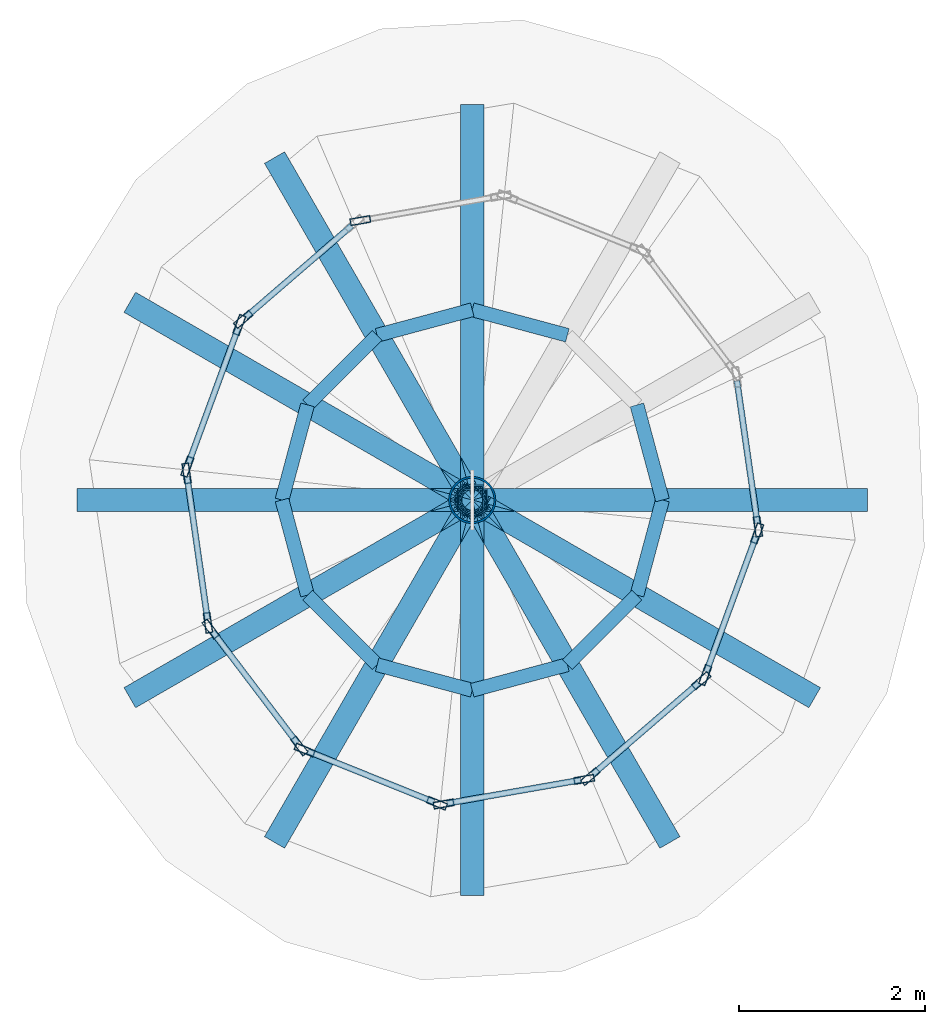
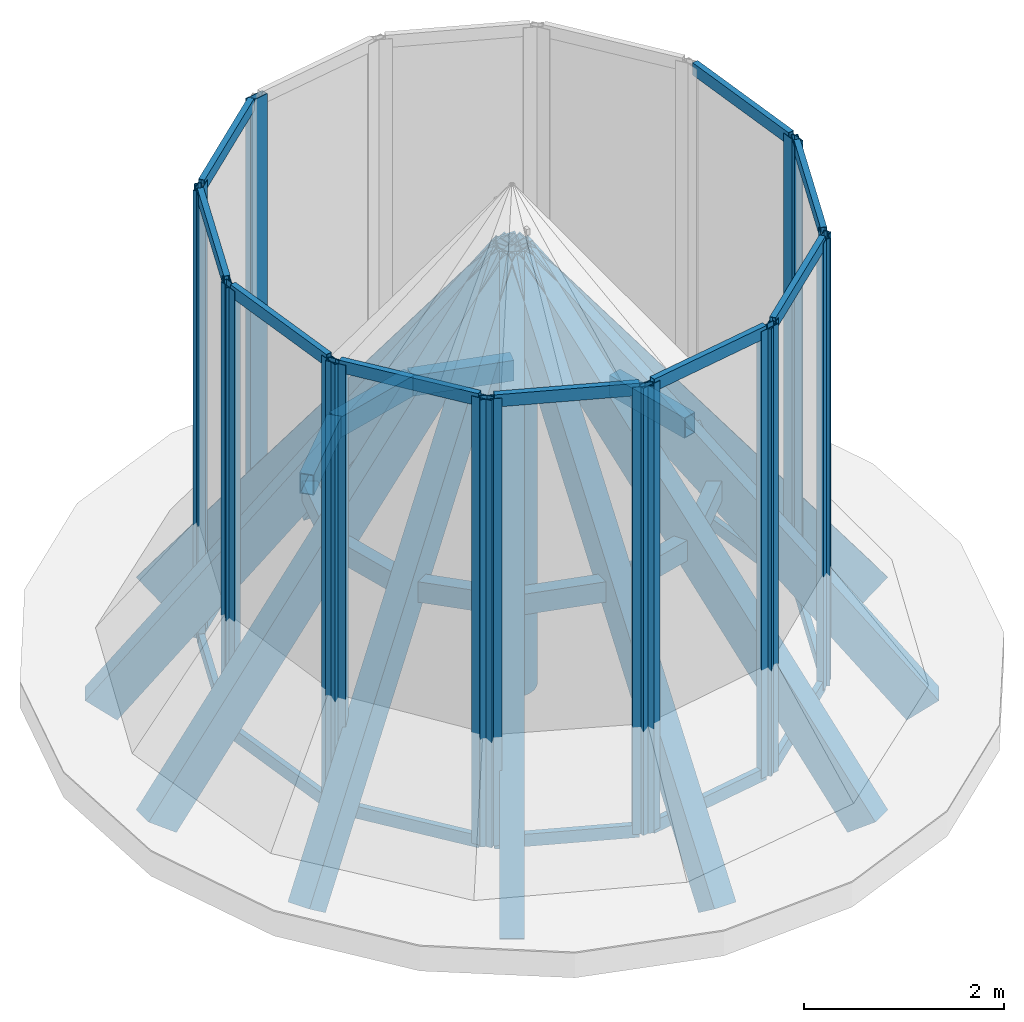
# One storey, part 1 of 3: 56 members, 1 column, 10 elements without a shape of their own.
"""IFC4 building model written with IfcOpenShell, lengths in metres."""

import ifcopenshell
import ifcopenshell.guid

model = None  # the IFC model being written
_history = None  # IfcOwnerHistory: only IFC2X3 demands one
_inside = {}  # id of a spatial element -> (the spatial element, [elements in it])
_under = {}  # id of a project, library or spatial element -> (it, [spatial elements below it])
_declared = {}  # id of a project -> (the project, [libraries it declares])
_typed = {}  # id of a type object -> (the type object, [elements of that type])
_made_of = {}  # id of a material, layer set ... -> (it, [elements and type objects made of it])


def new_model(schema):
    """Start an empty IFC model of exactly this schema.

    Asked for "IFC4X3", IfcOpenShell would pick the latest addendum, in which some entities
    have other attributes; the version numbers below select the first issue.
    IFC2X3 requires an IfcOwnerHistory on every rooted entity: one is made here for all.
    """
    global model, _history
    if schema == "IFC4X3":
        model = ifcopenshell.file(schema_version=(4, 3, 0, 0))
    else:
        model = ifcopenshell.file(schema=schema)
    _inside.clear()
    _under.clear()
    _declared.clear()
    _typed.clear()
    _made_of.clear()
    _history = None
    if model.schema == "IFC2X3":
        org = make("IfcOrganization", Name="unknown")
        user = make(
            "IfcPersonAndOrganization",
            ThePerson=make("IfcPerson", FamilyName="unknown"),
            TheOrganization=org,
        )
        app = make(
            "IfcApplication",
            ApplicationDeveloper=org,
            Version="unknown",
            ApplicationFullName="unknown",
            ApplicationIdentifier="unknown",
        )
        _history = make(
            "IfcOwnerHistory",
            OwningUser=user,
            OwningApplication=app,
            ChangeAction="ADDED",
            CreationDate=0,
        )
    return model


def make(cls, **values):
    """One entity of the class cls with the attributes given. An attribute that is None is left unset."""
    return model.create_entity(
        cls, **{name: value for name, value in values.items() if value is not None}
    )


def rooted(cls, **values):
    """An entity with a GlobalId (a new one), such as an element, a storey or a relation."""
    return make(cls, GlobalId=ifcopenshell.guid.new(), OwnerHistory=_history, **values)


def si_unit(unit_type, name, prefix=None):
    """IfcSIUnit, for example si_unit("LENGTHUNIT", "METRE", prefix="MILLI")."""
    return make("IfcSIUnit", UnitType=unit_type, Prefix=prefix, Name=name)


def assignment(units):
    """IfcUnitAssignment: the units of a project."""
    return None if units is None else make("IfcUnitAssignment", Units=units)


def point(xyz):
    """IfcCartesianPoint."""
    return None if xyz is None else make("IfcCartesianPoint", Coordinates=xyz)


def direction(xyz):
    """IfcDirection."""
    return None if xyz is None else make("IfcDirection", DirectionRatios=xyz)


def frame(location, z_axis=None, x_axis=None):
    """IfcAxis2Placement3D, a coordinate frame: its origin and axes. An axis left out is left unset."""
    return make(
        "IfcAxis2Placement3D",
        Location=point(location),
        Axis=direction(z_axis),
        RefDirection=direction(x_axis),
    )


def frame_2d(location, x_axis=None):
    """IfcAxis2Placement2D, a coordinate frame in the plane: its origin and x axis."""
    return make(
        "IfcAxis2Placement2D", Location=point(location), RefDirection=direction(x_axis)
    )


def origin():
    """The frame at (0, 0, 0) with its axes left unset."""
    return frame((0.0, 0.0, 0.0))


def origin_2d():
    """The frame at (0, 0) in the plane with its x axis left unset."""
    return frame_2d((0.0, 0.0))


def place(relative_to, where):
    """IfcLocalPlacement: puts the frame where relative to a parent placement (None: the world)."""
    return make(
        "IfcLocalPlacement", PlacementRelTo=relative_to, RelativePlacement=where
    )


def context(
    kind, dimensions, precision=None, world=None, true_north=None, identifier=None
):
    """IfcGeometricRepresentationContext, for example the 3D "Model" context."""
    return make(
        "IfcGeometricRepresentationContext",
        ContextIdentifier=identifier,
        ContextType=kind,
        CoordinateSpaceDimension=dimensions,
        Precision=precision,
        WorldCoordinateSystem=world,
        TrueNorth=true_north,
    )


def subcontext(parent, identifier, kind, view, scale=None):
    """IfcGeometricRepresentationSubContext, for example "Body" below "Model"."""
    return make(
        "IfcGeometricRepresentationSubContext",
        ContextIdentifier=identifier,
        ContextType=kind,
        ParentContext=parent,
        TargetScale=scale,
        TargetView=view,
    )


def project(units=None, contexts=None):
    """IfcProject with its units and contexts."""
    return rooted(
        "IfcProject",
        Name="project",
        RepresentationContexts=contexts,
        UnitsInContext=assignment(units),
    )


def spatial(cls, under=None, at=None, **own):
    """A site, building, storey or space (cls), placed at a placement, below another one or the project."""
    s = rooted(cls, ObjectPlacement=at, **own)
    if under is not None:
        _under.setdefault(under.id(), (under, []))[1].append(s)
    return s


def profile(cls, at=None, kind="AREA", **sizes):
    """A parametric profile (cls). Its sizes go by their IFC names, for example OverallWidth=200.0."""
    return make(cls, ProfileType=kind, Position=at, **sizes)


def hollow_rectangle(**sizes):
    """IfcRectangleHollowProfileDef."""
    return profile("IfcRectangleHollowProfileDef", **sizes)


def hollow_circle(**sizes):
    """IfcCircleHollowProfileDef."""
    return profile("IfcCircleHollowProfileDef", **sizes)


def extrude(swept, where, along, depth):
    """IfcExtrudedAreaSolid: the profile swept, set in the frame where, extruded along a direction by depth."""
    return make(
        "IfcExtrudedAreaSolid",
        SweptArea=swept,
        Position=where,
        ExtrudedDirection=direction(along),
        Depth=depth,
    )


def shape(context_of_items, identifier, shape_type, items):
    """IfcShapeRepresentation: the items that make up one representation, for example the "Body"."""
    return make(
        "IfcShapeRepresentation",
        ContextOfItems=context_of_items,
        RepresentationIdentifier=identifier,
        RepresentationType=shape_type,
        Items=items,
    )


def source(mapping_origin, context_of_items, identifier, shape_type, items):
    """IfcRepresentationMap: a shape defined once, which mapped items show again and again."""
    return make(
        "IfcRepresentationMap",
        MappingOrigin=mapping_origin,
        MappedRepresentation=shape(context_of_items, identifier, shape_type, items),
    )


def transform(
    local_origin,
    x_axis=None,
    y_axis=None,
    z_axis=None,
    scale=None,
    scale2=None,
    scale3=None,
    uniform=True,
):
    """IfcCartesianTransformationOperator3D, or its non-uniform kind. x_axis, y_axis, z_axis: its Axis1, 2, 3."""
    if uniform:
        return make(
            "IfcCartesianTransformationOperator3D",
            Axis1=direction(x_axis),
            Axis2=direction(y_axis),
            LocalOrigin=point(local_origin),
            Scale=scale,
            Axis3=direction(z_axis),
        )
    return make(
        "IfcCartesianTransformationOperator3DnonUniform",
        Axis1=direction(x_axis),
        Axis2=direction(y_axis),
        LocalOrigin=point(local_origin),
        Scale=scale,
        Axis3=direction(z_axis),
        Scale2=scale2,
        Scale3=scale3,
    )


def mapped(mapping_source, mapping_target):
    """IfcMappedItem: shows the shape of a source again, moved by a transform."""
    return make(
        "IfcMappedItem", MappingSource=mapping_source, MappingTarget=mapping_target
    )


def material(Name=None, Category=None):
    """IfcMaterial."""
    return make("IfcMaterial", Name=Name, Category=Category)


def layer(
    of_material, thickness, ventilated=None, Name=None, Category=None, Priority=None
):
    """IfcMaterialLayer: one layer of a wall or slab, of a material (None: an air gap)."""
    return make(
        "IfcMaterialLayer",
        Material=of_material,
        LayerThickness=thickness,
        IsVentilated=ventilated,
        Name=Name,
        Category=Category,
        Priority=Priority,
    )


def layer_set(layers, Name=None):
    """IfcMaterialLayerSet."""
    return make("IfcMaterialLayerSet", MaterialLayers=layers, LayerSetName=Name)


def material_profile(
    of_material, cross_section, Name=None, Category=None, Priority=None
):
    """IfcMaterialProfile: a cross section and its material."""
    return make(
        "IfcMaterialProfile",
        Name=Name,
        Material=of_material,
        Profile=cross_section,
        Priority=Priority,
        Category=Category,
    )


def profile_set(profiles, Name=None, composite=None):
    """IfcMaterialProfileSet."""
    return make(
        "IfcMaterialProfileSet",
        Name=Name,
        MaterialProfiles=profiles,
        CompositeProfile=composite,
    )


def made_of(thing, what):
    """Note that an element or type object is made of a material, layer set ...; save() writes the relation."""
    if what is not None:
        _made_of.setdefault(what.id(), (what, []))[1].append(thing)
    return thing


def type_object(cls, material=None, **own):
    """A type object (cls), such as IfcWallType, which elements share."""
    return made_of(rooted(cls, **own), material)


def element(
    cls,
    number,
    at=None,
    inside=None,
    cuts=None,
    type_object=None,
    material=None,
    context=None,
    identifier="Body",
    shape_type=None,
    held_by="IfcProductDefinitionShape",
    body=None,
    shapes=None,
    **own,
):
    """One element of the class cls, such as IfcWall. Its Tag is "e" and its number.

    at: its placement. inside: the storey or other place that contains it. cuts: it is an
    opening in that element (IfcRelVoidsElement). A single representation is given by context,
    identifier, shape_type and body (its items); several are given by shapes. held_by: the class
    of the entity that holds the representations. save() writes the other relations.
    """
    e = rooted(cls, Tag="e%d" % number, ObjectPlacement=at, **own)
    if body is not None:
        shapes = [shape(context, identifier, shape_type, body)]
    if shapes is not None:
        e.Representation = make(held_by, Representations=shapes)
    if inside is not None:
        _inside.setdefault(inside.id(), (inside, []))[1].append(e)
    if cuts is not None:
        rooted(
            "IfcRelVoidsElement", RelatingBuildingElement=cuts, RelatedOpeningElement=e
        )
    if type_object is not None:
        _typed.setdefault(type_object.id(), (type_object, []))[1].append(e)
    return made_of(e, material)


def aggregate(whole, parts):
    """IfcRelAggregates: a whole, such as a stair, and the parts it consists of."""
    return rooted("IfcRelAggregates", RelatingObject=whole, RelatedObjects=parts)


def save(model, path):
    """Write the relations noted so far, then the file.

    IfcRelAggregates (storeys below a building ...), IfcRelContainedInSpatialStructure (elements
    in a storey), IfcRelDefinesByType, IfcRelAssociatesMaterial and IfcRelDeclares: one each for
    every whole, place, type object, material and project.
    """
    for whole, parts in _under.values():
        aggregate(whole, parts)
    for where, things in _inside.values():
        rooted(
            "IfcRelContainedInSpatialStructure",
            RelatedElements=things,
            RelatingStructure=where,
        )
    for kind, things in _typed.values():
        rooted("IfcRelDefinesByType", RelatedObjects=things, RelatingType=kind)
    for what, things in _made_of.values():
        rooted("IfcRelAssociatesMaterial", RelatedObjects=things, RelatingMaterial=what)
    for by, libraries in _declared.values():
        rooted("IfcRelDeclares", RelatingContext=by, RelatedDefinitions=libraries)
    model.write(path)


model = new_model("IFC4")

# Units and contexts
model_context = context("Model", 3, precision=1e-05, world=origin(), true_north=direction((0.0, 1.0)))
body_context = subcontext(model_context, "Body", "Model", "MODEL_VIEW")
ifc_project = project(units=[si_unit("LENGTHUNIT", "METRE"), si_unit("AREAUNIT", "SQUARE_METRE"), si_unit("VOLUMEUNIT", "CUBIC_METRE"), si_unit("PLANEANGLEUNIT", "RADIAN"), si_unit("MASSUNIT", "GRAM", prefix="KILO")], contexts=[model_context])

# Site, building, storey
site_placement = place(None, origin())
site = spatial("IfcSite", under=ifc_project, at=site_placement, CompositionType="ELEMENT")
building_placement = place(site_placement, origin())
building = spatial("IfcBuilding", under=site, at=building_placement, Name="Solvirekh Grand Hotel", CompositionType="ELEMENT")
storey_placement = place(building_placement, frame((0.0, 0.0, 340.199951171875)))
storey = spatial("IfcBuildingStorey", under=building, at=storey_placement, Name="RF", CompositionType="ELEMENT", Elevation=340.199951171875)

# Column
ifc_material_1 = material(Name="Steel S460", Category="steel")
ifc_material_profile_1 = material_profile(ifc_material_1, hollow_circle(Radius=0.25390625, WallThickness=0.02001953125, at=origin_2d()), Name="CHS 508X20")
ifc_profile_set_1 = profile_set([ifc_material_profile_1], Name="Steel S460")
column_type = type_object("IfcColumnType", Name="Col_Crown_CHS508", PredefinedType="COLUMN", material=ifc_profile_set_1)
column_placement = place(storey_placement, frame((0.0, 0.0, -0.300048828125), z_axis=(0.0, 0.0, 1.0), x_axis=(1.0, 0.0, 0.0)))
element("IfcColumn", 1, at=column_placement, inside=storey, type_object=column_type, Name="RF central crown lantern support mast", PredefinedType="COLUMN", context=body_context, shape_type="SweptSolid", body=[
    extrude(hollow_circle(Radius=0.25390625, WallThickness=0.02001953125, at=origin_2d()), origin(), (0.0, 0.0, 1.0), 5.25),
])

# Members
ifc_material_2 = material(Name="Steel S355", Category="steel")
ifc_material_profile_2 = material_profile(ifc_material_2, hollow_rectangle(XDim=0.14990234375, YDim=0.25, WallThickness=0.010009765625, at=origin_2d()), Name="RHS 250X150X10")
ifc_profile_set_2 = profile_set([ifc_material_profile_2], Name="Steel S355")
member_type_1 = type_object("IfcMemberType", Name="Purlin_Crown_RHS250", PredefinedType="PURLIN", material=ifc_profile_set_2)
for number, where, z_axis, x_axis, name in (
    (2, (2.050048828125, 0.0, 2.1201171875), (-0.259280363239, 0.965802098382, 0.0), (-0.965802098382, -0.259280363239, 0.0), "Crown pointed lantern purlin 1"),
    (3, (1.02490234375, 1.77490234375, 2.1201171875), (-0.965802098382, 0.259280363239, 0.0), (-0.259280363239, -0.965802098382, 0.0), "Crown pointed lantern purlin 3"),
    (4, (0.0, 2.050048828125, 2.1201171875), (-0.965802098382, -0.259280363239, 0.0), (0.259280363239, -0.965802098382, 0.0), "Crown pointed lantern purlin 4"),
):
    element("IfcMember", number, at=place(storey_placement, frame(where, z_axis=z_axis, x_axis=x_axis)), inside=storey, type_object=member_type_1, Name=name, PredefinedType="PURLIN", context=body_context, shape_type="SweptSolid", body=[
        extrude(hollow_rectangle(XDim=0.14990234375, YDim=0.25, WallThickness=0.010009765625, at=origin_2d()), origin(), (0.0, 0.0, 1.0), 1.061279296875),
    ])
member_1_placement = place(storey_placement, frame((-1.02490234375, 1.77490234375, 2.1201171875), z_axis=(-0.707106781187, -0.707106781187, 0.0), x_axis=(0.707106781187, -0.707106781187, 0.0)))
element("IfcMember", 5, at=member_1_placement, inside=storey, type_object=member_type_1, Name="Crown pointed lantern purlin 5", PredefinedType="PURLIN", context=body_context, shape_type="SweptSolid", body=[
    extrude(hollow_rectangle(XDim=0.14990234375, YDim=0.25, WallThickness=0.010009765625, at=origin_2d()), origin(), (0.0, 0.0, 1.0), 1.060546875),
])
for number, where, z_axis, x_axis, name in (
    (6, (-1.77490234375, 1.02490234375, 2.1201171875), (-0.259280363239, -0.965802098382, 0.0), (0.965802098382, -0.259280363239, 0.0), "Crown pointed lantern purlin 6"),
    (7, (-2.050048828125, 0.0, 2.1201171875), (0.259280363239, -0.965802098382, 0.0), (0.965802098382, 0.259280363239, 0.0), "Crown pointed lantern purlin 7"),
):
    element("IfcMember", number, at=place(storey_placement, frame(where, z_axis=z_axis, x_axis=x_axis)), inside=storey, type_object=member_type_1, Name=name, PredefinedType="PURLIN", context=body_context, shape_type="SweptSolid", body=[
        extrude(hollow_rectangle(XDim=0.14990234375, YDim=0.25, WallThickness=0.010009765625, at=origin_2d()), origin(), (0.0, 0.0, 1.0), 1.061279296875),
    ])
member_2_placement = place(storey_placement, frame((-1.77490234375, -1.02490234375, 2.1201171875), z_axis=(0.707106781187, -0.707106781187, 0.0), x_axis=(0.707106781187, 0.707106781187, 0.0)))
element("IfcMember", 8, at=member_2_placement, inside=storey, type_object=member_type_1, Name="Crown pointed lantern purlin 8", PredefinedType="PURLIN", context=body_context, shape_type="SweptSolid", body=[
    extrude(hollow_rectangle(XDim=0.14990234375, YDim=0.25, WallThickness=0.010009765625, at=origin_2d()), origin(), (0.0, 0.0, 1.0), 1.060546875),
])
for number, where, z_axis, x_axis, name in (
    (9, (-1.02490234375, -1.77490234375, 2.1201171875), (0.965802098382, -0.259280363239, 0.0), (0.259280363239, 0.965802098382, 0.0), "Crown pointed lantern purlin 9"),
    (10, (0.0, -2.050048828125, 2.1201171875), (0.965802098382, 0.259280363239, 0.0), (-0.259280363239, 0.965802098382, 0.0), "Crown pointed lantern purlin 10"),
):
    element("IfcMember", number, at=place(storey_placement, frame(where, z_axis=z_axis, x_axis=x_axis)), inside=storey, type_object=member_type_1, Name=name, PredefinedType="PURLIN", context=body_context, shape_type="SweptSolid", body=[
        extrude(hollow_rectangle(XDim=0.14990234375, YDim=0.25, WallThickness=0.010009765625, at=origin_2d()), origin(), (0.0, 0.0, 1.0), 1.061279296875),
    ])
member_3_placement = place(storey_placement, frame((1.02490234375, -1.77490234375, 2.1201171875), z_axis=(0.707106781187, 0.707106781187, 0.0), x_axis=(-0.707106781187, 0.707106781187, 0.0)))
element("IfcMember", 11, at=member_3_placement, inside=storey, type_object=member_type_1, Name="Crown pointed lantern purlin 11", PredefinedType="PURLIN", context=body_context, shape_type="SweptSolid", body=[
    extrude(hollow_rectangle(XDim=0.14990234375, YDim=0.25, WallThickness=0.010009765625, at=origin_2d()), origin(), (0.0, 0.0, 1.0), 1.060546875),
])
member_4_placement = place(storey_placement, frame((1.77490234375, -1.02490234375, 2.1201171875), z_axis=(0.259280363239, 0.965802098382, 0.0), x_axis=(-0.965802098382, 0.259280363239, 0.0)))
element("IfcMember", 12, at=member_4_placement, inside=storey, type_object=member_type_1, Name="Crown pointed lantern purlin 12", PredefinedType="PURLIN", context=body_context, shape_type="SweptSolid", body=[
    extrude(hollow_rectangle(XDim=0.14990234375, YDim=0.25, WallThickness=0.010009765625, at=origin_2d()), origin(), (0.0, 0.0, 1.0), 1.061279296875),
])
ifc_material_profile_3 = material_profile(ifc_material_2, hollow_rectangle(XDim=0.25, YDim=0.39990234375, WallThickness=0.01611328125, at=origin_2d()), Name="RHS 400X250X16")
ifc_profile_set_3 = profile_set([ifc_material_profile_3], Name="Steel S355")
member_type_2 = type_object("IfcMemberType", Name="Rafter_Crown_RHS400", PredefinedType="RAFTER", material=ifc_profile_set_3)
for number, where, z_axis, x_axis, name in (
    (13, (4.10009765625, 0.0, -0.550048828125), (-0.597674248895, 0.0, 0.801739042462), (0.0, -1.0, 0.0), "Crown pointed finial rafter 1"),
    (14, (0.0, 4.10009765625, -0.550048828125), (0.0, -0.597674248895, 0.801739042462), (1.0, 0.0, 0.0), "Crown pointed finial rafter 4"),
    (15, (-2.050048828125, 3.551025390625, -0.550048828125), (0.298831788248, -0.517626337987, 0.801724726171), (0.866039832988, 0.499975007054, 0.0), "Crown pointed finial rafter 5"),
    (16, (-3.551025390625, 2.050048828125, -0.550048828125), (0.517626337987, -0.298831788248, 0.801724726171), (0.499975007054, 0.866039832988, 0.0), "Crown pointed finial rafter 6"),
    (17, (-4.10009765625, 0.0, -0.550048828125), (0.597674248895, 0.0, 0.801739042462), (0.0, 1.0, 0.0), "Crown pointed finial rafter 7"),
    (18, (-3.551025390625, -2.050048828125, -0.550048828125), (0.517626337987, 0.298831788248, 0.801724726171), (-0.499975007054, 0.866039832988, 0.0), "Crown pointed finial rafter 8"),
    (19, (-2.050048828125, -3.551025390625, -0.550048828125), (0.298831788248, 0.517626337987, 0.801724726171), (-0.866039832988, 0.499975007054, 0.0), "Crown pointed finial rafter 9"),
    (20, (0.0, -4.10009765625, -0.550048828125), (0.0, 0.597674248895, 0.801739042462), (-1.0, 0.0, 0.0), "Crown pointed finial rafter 10"),
    (21, (2.050048828125, -3.551025390625, -0.550048828125), (-0.298831788248, 0.517626337987, 0.801724726171), (-0.866039832988, -0.499975007054, 0.0), "Crown pointed finial rafter 11"),
    (22, (3.551025390625, -2.050048828125, -0.550048828125), (-0.517626337987, 0.298831788248, 0.801724726171), (-0.499975007054, -0.866039832988, 0.0), "Crown pointed finial rafter 12"),
):
    element("IfcMember", number, at=place(storey_placement, frame(where, z_axis=z_axis, x_axis=x_axis)), inside=storey, type_object=member_type_2, Name=name, PredefinedType="RAFTER", context=body_context, shape_type="SweptSolid", body=[
        extrude(hollow_rectangle(XDim=0.25, YDim=0.39990234375, WallThickness=0.01611328125, at=origin_2d()), origin(), (0.0, 0.0, 1.0), 6.860107421875),
    ])

# Curtain wall, members
ifc_material_3 = material(Name="Anodized Bronze Aluminium 6063-T6", Category="aluminium")
ifc_layer = layer(ifc_material_3, 0.219970703125)
ifc_layer_set = layer_set([ifc_layer], Name="Anodized Bronze Aluminium 6063-T6")
curtain_wall_type = type_object("IfcCurtainWallType", Name="CW_Sys6_CrownFacetedPointCW", PredefinedType="NOTDEFINED", material=ifc_layer_set)
curtain_wall_1_placement = place(storey_placement, origin())
curtain_wall_1 = element("IfcCurtainWall", 23, at=curtain_wall_1_placement, inside=storey, type_object=curtain_wall_type, Name="RF unitised bronze-glass curtain wall CW-RF-CONE-01", PredefinedType="NOTDEFINED")
ifc_material_profile_4 = material_profile(ifc_material_3, hollow_rectangle(XDim=0.074951171875, YDim=0.219970703125, WallThickness=0.006103515625, at=origin_2d()), Name="ALU RHS 220X75X6")
ifc_profile_set_4 = profile_set([ifc_material_profile_4], Name="Anodized Bronze Aluminium 6063-T6")
member_type_3 = type_object("IfcMemberType", Name="CWMullion_Sys6", PredefinedType="MULLION", material=ifc_profile_set_4)
shared_shape_1 = source(origin(), body_context, "Body", "SweptSolid", [
    extrude(hollow_rectangle(XDim=0.074951171875, YDim=0.219970703125, WallThickness=0.006103515625, at=origin_2d()), origin(), (0.0, 0.0, 1.0), 5.449951171875),
])
member_5_placement = place(storey_placement, frame((-0.30810546875, -3.275634765625, 0.0), z_axis=(0.0, 0.0, 1.0), x_axis=(-0.172440517208, 0.985019932806, 0.0)))
member_5 = element("IfcMember", 24, at=member_5_placement, type_object=member_type_3, Name="U06 mullion 1", PredefinedType="MULLION", context=body_context, shape_type="MappedRepresentation", body=[
    mapped(shared_shape_1, transform((0.0, 0.0, 0.0), x_axis=(1.0, 0.0, 0.0), y_axis=(0.0, 1.0, 0.0), z_axis=(0.0, 0.0, 1.0), scale=1.0)),
])
member_6_placement = place(storey_placement, frame((1.2060546875, -3.010498046875, 0.0), z_axis=(0.0, 0.0, 1.0), x_axis=(-0.172440517208, 0.985019932806, 0.0)))
member_6 = element("IfcMember", 25, at=member_6_placement, type_object=member_type_3, Name="U06 mullion 2", PredefinedType="MULLION", context=body_context, shape_type="MappedRepresentation", body=[
    mapped(shared_shape_1, transform((0.0, 0.0, 0.0), x_axis=(1.0, 0.0, 0.0), y_axis=(0.0, 1.0, 0.0), z_axis=(0.0, 0.0, 1.0), scale=1.0)),
])

curtain_wall_2_placement = place(storey_placement, origin())
curtain_wall_2 = element("IfcCurtainWall", 26, at=curtain_wall_2_placement, inside=storey, type_object=curtain_wall_type, Name="RF unitised bronze-glass curtain wall CW-RF-CONE-02", PredefinedType="NOTDEFINED")
member_7_placement = place(storey_placement, frame((1.271484375, -2.9794921875, 0.0), z_axis=(0.0, 0.0, 1.0), x_axis=(-0.653273976822, 0.757121596051, 0.0)))
member_7 = element("IfcMember", 27, at=member_7_placement, type_object=member_type_3, Name="U06 mullion 1", PredefinedType="MULLION", context=body_context, shape_type="MappedRepresentation", body=[
    mapped(shared_shape_1, transform((0.0, 0.0, 0.0), x_axis=(1.0, 0.0, 0.0), y_axis=(0.0, 1.0, 0.0), z_axis=(0.0, 0.0, 1.0), scale=1.0)),
])
member_8_placement = place(storey_placement, frame((2.468505859375, -1.946533203125, 0.0), z_axis=(0.0, 0.0, 1.0), x_axis=(-0.653273976822, 0.757121596051, 0.0)))
member_8 = element("IfcMember", 28, at=member_8_placement, type_object=member_type_3, Name="U06 mullion 2", PredefinedType="MULLION", context=body_context, shape_type="MappedRepresentation", body=[
    mapped(shared_shape_1, transform((0.0, 0.0, 0.0), x_axis=(1.0, 0.0, 0.0), y_axis=(0.0, 1.0, 0.0), z_axis=(0.0, 0.0, 1.0), scale=1.0)),
])

curtain_wall_3_placement = place(storey_placement, origin())
curtain_wall_3 = element("IfcCurtainWall", 29, at=curtain_wall_3_placement, inside=storey, type_object=curtain_wall_type, Name="RF unitised bronze-glass curtain wall CW-RF-CONE-03", PredefinedType="NOTDEFINED")
member_9_placement = place(storey_placement, frame((2.510009765625, -1.88671875, 0.0), z_axis=(0.0, 0.0, 1.0), x_axis=(-0.938863655573, 0.344289175323, 0.0)))
member_9 = element("IfcMember", 30, at=member_9_placement, type_object=member_type_3, Name="U06 mullion 1", PredefinedType="MULLION", context=body_context, shape_type="MappedRepresentation", body=[
    mapped(shared_shape_1, transform((0.0, 0.0, 0.0), x_axis=(1.0, 0.0, 0.0), y_axis=(0.0, 1.0, 0.0), z_axis=(0.0, 0.0, 1.0), scale=1.0)),
])
member_10_placement = place(storey_placement, frame((3.070068359375, -0.359130859375, 0.0), z_axis=(0.0, 0.0, 1.0), x_axis=(-0.938863655573, 0.344289175323, 0.0)))
member_10 = element("IfcMember", 31, at=member_10_placement, type_object=member_type_3, Name="U06 mullion 2", PredefinedType="MULLION", context=body_context, shape_type="MappedRepresentation", body=[
    mapped(shared_shape_1, transform((0.0, 0.0, 0.0), x_axis=(1.0, 0.0, 0.0), y_axis=(0.0, 1.0, 0.0), z_axis=(0.0, 0.0, 1.0), scale=1.0)),
])

# Curtain wall, member
curtain_wall_4_placement = place(storey_placement, origin())
curtain_wall_4 = element("IfcCurtainWall", 32, at=curtain_wall_4_placement, inside=storey, type_object=curtain_wall_type, Name="RF unitised bronze-glass curtain wall CW-RF-CONE-04", PredefinedType="NOTDEFINED")
member_11_placement = place(storey_placement, frame((3.07763671875, -0.286865234375, 0.0), z_axis=(0.0, 0.0, 1.0), x_axis=(-0.989914192772, -0.141668242552, 0.0)))
member_11 = element("IfcMember", 33, at=member_11_placement, type_object=member_type_3, Name="U06 mullion 1", PredefinedType="MULLION", context=body_context, shape_type="MappedRepresentation", body=[
    mapped(shared_shape_1, transform((0.0, 0.0, 0.0), x_axis=(1.0, 0.0, 0.0), y_axis=(0.0, 1.0, 0.0), z_axis=(0.0, 0.0, 1.0), scale=1.0)),
])

curtain_wall_5_placement = place(storey_placement, origin())
curtain_wall_5 = element("IfcCurtainWall", 34, at=curtain_wall_5_placement, inside=storey, type_object=curtain_wall_type, Name="RF unitised bronze-glass curtain wall CW-RF-CONE-07", PredefinedType="NOTDEFINED")
member_12_placement = place(storey_placement, frame((-1.2060546875, 3.010498046875, 0.0), z_axis=(0.0, 0.0, 1.0), x_axis=(0.172440517208, -0.985019932806, 0.0)))
member_12 = element("IfcMember", 35, at=member_12_placement, type_object=member_type_3, Name="U06 mullion 2", PredefinedType="MULLION", context=body_context, shape_type="MappedRepresentation", body=[
    mapped(shared_shape_1, transform((0.0, 0.0, 0.0), x_axis=(1.0, 0.0, 0.0), y_axis=(0.0, 1.0, 0.0), z_axis=(0.0, 0.0, 1.0), scale=1.0)),
])
aggregate(curtain_wall_5, [member_12])

curtain_wall_6_placement = place(storey_placement, origin())
curtain_wall_6 = element("IfcCurtainWall", 36, at=curtain_wall_6_placement, inside=storey, type_object=curtain_wall_type, Name="RF unitised bronze-glass curtain wall CW-RF-CONE-08", PredefinedType="NOTDEFINED")
member_13_placement = place(storey_placement, frame((-2.468505859375, 1.946533203125, 0.0), z_axis=(0.0, 0.0, 1.0), x_axis=(0.653273976822, -0.757121596051, 0.0)))
member_13 = element("IfcMember", 37, at=member_13_placement, type_object=member_type_3, Name="U06 mullion 2", PredefinedType="MULLION", context=body_context, shape_type="MappedRepresentation", body=[
    mapped(shared_shape_1, transform((0.0, 0.0, 0.0), x_axis=(1.0, 0.0, 0.0), y_axis=(0.0, 1.0, 0.0), z_axis=(0.0, 0.0, 1.0), scale=1.0)),
])

# Curtain wall, members
curtain_wall_7_placement = place(storey_placement, origin())
curtain_wall_7 = element("IfcCurtainWall", 38, at=curtain_wall_7_placement, inside=storey, type_object=curtain_wall_type, Name="RF unitised bronze-glass curtain wall CW-RF-CONE-09", PredefinedType="NOTDEFINED")
member_14_placement = place(storey_placement, frame((-2.510009765625, 1.88671875, 0.0), z_axis=(0.0, 0.0, 1.0), x_axis=(0.938863655573, -0.344289175323, 0.0)))
member_14 = element("IfcMember", 39, at=member_14_placement, type_object=member_type_3, Name="U06 mullion 1", PredefinedType="MULLION", context=body_context, shape_type="MappedRepresentation", body=[
    mapped(shared_shape_1, transform((0.0, 0.0, 0.0), x_axis=(1.0, 0.0, 0.0), y_axis=(0.0, 1.0, 0.0), z_axis=(0.0, 0.0, 1.0), scale=1.0)),
])
member_15_placement = place(storey_placement, frame((-3.070068359375, 0.359130859375, 0.0), z_axis=(0.0, 0.0, 1.0), x_axis=(0.938863655573, -0.344289175323, 0.0)))
member_15 = element("IfcMember", 40, at=member_15_placement, type_object=member_type_3, Name="U06 mullion 2", PredefinedType="MULLION", context=body_context, shape_type="MappedRepresentation", body=[
    mapped(shared_shape_1, transform((0.0, 0.0, 0.0), x_axis=(1.0, 0.0, 0.0), y_axis=(0.0, 1.0, 0.0), z_axis=(0.0, 0.0, 1.0), scale=1.0)),
])

curtain_wall_8_placement = place(storey_placement, origin())
curtain_wall_8 = element("IfcCurtainWall", 41, at=curtain_wall_8_placement, inside=storey, type_object=curtain_wall_type, Name="RF unitised bronze-glass curtain wall CW-RF-CONE-10", PredefinedType="NOTDEFINED")
member_16_placement = place(storey_placement, frame((-3.07763671875, 0.286865234375, 0.0), z_axis=(0.0, 0.0, 1.0), x_axis=(0.989914192772, 0.141668242552, 0.0)))
member_16 = element("IfcMember", 42, at=member_16_placement, type_object=member_type_3, Name="U06 mullion 1", PredefinedType="MULLION", context=body_context, shape_type="MappedRepresentation", body=[
    mapped(shared_shape_1, transform((0.0, 0.0, 0.0), x_axis=(1.0, 0.0, 0.0), y_axis=(0.0, 1.0, 0.0), z_axis=(0.0, 0.0, 1.0), scale=1.0)),
])
member_17_placement = place(storey_placement, frame((-2.847412109375, -1.322998046875, 0.0), z_axis=(0.0, 0.0, 1.0), x_axis=(0.989914192772, 0.141668242552, 0.0)))
member_17 = element("IfcMember", 43, at=member_17_placement, type_object=member_type_3, Name="U06 mullion 2", PredefinedType="MULLION", context=body_context, shape_type="MappedRepresentation", body=[
    mapped(shared_shape_1, transform((0.0, 0.0, 0.0), x_axis=(1.0, 0.0, 0.0), y_axis=(0.0, 1.0, 0.0), z_axis=(0.0, 0.0, 1.0), scale=1.0)),
])

curtain_wall_9_placement = place(storey_placement, origin())
curtain_wall_9 = element("IfcCurtainWall", 44, at=curtain_wall_9_placement, inside=storey, type_object=curtain_wall_type, Name="RF unitised bronze-glass curtain wall CW-RF-CONE-11", PredefinedType="NOTDEFINED")
member_18_placement = place(storey_placement, frame((-2.8193359375, -1.389892578125, 0.0), z_axis=(0.0, 0.0, 1.0), x_axis=(0.796510893346, 0.604624178132, 0.0)))
member_18 = element("IfcMember", 45, at=member_18_placement, type_object=member_type_3, Name="U06 mullion 1", PredefinedType="MULLION", context=body_context, shape_type="MappedRepresentation", body=[
    mapped(shared_shape_1, transform((0.0, 0.0, 0.0), x_axis=(1.0, 0.0, 0.0), y_axis=(0.0, 1.0, 0.0), z_axis=(0.0, 0.0, 1.0), scale=1.0)),
])
member_19_placement = place(storey_placement, frame((-1.86279296875, -2.650146484375, 0.0), z_axis=(0.0, 0.0, 1.0), x_axis=(0.796510893346, 0.604624178132, 0.0)))
member_19 = element("IfcMember", 46, at=member_19_placement, type_object=member_type_3, Name="U06 mullion 2", PredefinedType="MULLION", context=body_context, shape_type="MappedRepresentation", body=[
    mapped(shared_shape_1, transform((0.0, 0.0, 0.0), x_axis=(1.0, 0.0, 0.0), y_axis=(0.0, 1.0, 0.0), z_axis=(0.0, 0.0, 1.0), scale=1.0)),
])

curtain_wall_10_placement = place(storey_placement, origin())
curtain_wall_10 = element("IfcCurtainWall", 47, at=curtain_wall_10_placement, inside=storey, type_object=curtain_wall_type, Name="RF unitised bronze-glass curtain wall CW-RF-CONE-12", PredefinedType="NOTDEFINED")
member_20_placement = place(storey_placement, frame((-1.80517578125, -2.694091796875, 0.0), z_axis=(0.0, 0.0, 1.0), x_axis=(0.373529278287, 0.927618390429, 0.0)))
member_20 = element("IfcMember", 48, at=member_20_placement, type_object=member_type_3, Name="U06 mullion 1", PredefinedType="MULLION", context=body_context, shape_type="MappedRepresentation", body=[
    mapped(shared_shape_1, transform((0.0, 0.0, 0.0), x_axis=(1.0, 0.0, 0.0), y_axis=(0.0, 1.0, 0.0), z_axis=(0.0, 0.0, 1.0), scale=1.0)),
])
member_21_placement = place(storey_placement, frame((-0.3798828125, -3.26806640625, 0.0), z_axis=(0.0, 0.0, 1.0), x_axis=(0.373529278287, 0.927618390429, 0.0)))
member_21 = element("IfcMember", 49, at=member_21_placement, type_object=member_type_3, Name="U06 mullion 2", PredefinedType="MULLION", context=body_context, shape_type="MappedRepresentation", body=[
    mapped(shared_shape_1, transform((0.0, 0.0, 0.0), x_axis=(1.0, 0.0, 0.0), y_axis=(0.0, 1.0, 0.0), z_axis=(0.0, 0.0, 1.0), scale=1.0)),
])

# Member
ifc_material_profile_5 = material_profile(ifc_material_3, hollow_rectangle(XDim=0.06494140625, YDim=0.14990234375, WallThickness=0.0048828125, at=origin_2d()), Name="ALU RHS 150X65X5")
ifc_profile_set_5 = profile_set([ifc_material_profile_5], Name="Anodized Bronze Aluminium 6063-T6")
member_type_4 = type_object("IfcMemberType", Name="CWTransom_Sys6", PredefinedType="USERDEFINED", material=ifc_profile_set_5)
shared_shape_2 = source(origin(), body_context, "Body", "SweptSolid", [
    extrude(hollow_rectangle(XDim=0.06494140625, YDim=0.14990234375, WallThickness=0.0048828125, at=origin_2d()), origin(), (0.0, 0.0, 1.0), 1.46240234375),
])
member_22_placement = place(storey_placement, frame((-0.271240234375, -3.26904296875, 0.032470703125), z_axis=(0.985016289618, 0.17246132664, 0.0), x_axis=(-0.17246132664, 0.985016289618, 0.0)))
member_22 = element("IfcMember", 50, at=member_22_placement, type_object=member_type_4, Name="U06 transom 1.1", ObjectType="TRANSOM", PredefinedType="USERDEFINED", context=body_context, shape_type="MappedRepresentation", body=[
    mapped(shared_shape_2, transform((0.0, 0.0, 0.0), x_axis=(1.0, 0.0, 0.0), y_axis=(0.0, 1.0, 0.0), z_axis=(0.0, 0.0, 1.0), scale=1.0)),
])

member_23_placement = place(storey_placement, frame((-0.271240234375, -3.26904296875, 5.41748046875), z_axis=(0.985016289618, 0.17246132664, 0.0), x_axis=(-0.17246132664, 0.985016289618, 0.0)))
member_23 = element("IfcMember", 51, at=member_23_placement, type_object=member_type_4, Name="U06 transom 1.2", ObjectType="TRANSOM", PredefinedType="USERDEFINED", context=body_context, shape_type="MappedRepresentation", body=[
    mapped(shared_shape_2, transform((0.0, 0.0, 0.0), x_axis=(1.0, 0.0, 0.0), y_axis=(0.0, 1.0, 0.0), z_axis=(0.0, 0.0, 1.0), scale=1.0)),
])

aggregate(curtain_wall_1, [member_5, member_6, member_22, member_23])

shared_shape_3 = source(origin(), body_context, "Body", "SweptSolid", [
    extrude(hollow_rectangle(XDim=0.06494140625, YDim=0.14990234375, WallThickness=0.0048828125, at=origin_2d()), origin(), (0.0, 0.0, 1.0), 1.50634765625),
])
member_24_placement = place(storey_placement, frame((1.2998046875, -2.955078125, 0.032470703125), z_axis=(0.75706712716, 0.653337099033, 0.0), x_axis=(-0.653337099033, 0.75706712716, 0.0)))
member_24 = element("IfcMember", 52, at=member_24_placement, type_object=member_type_4, Name="U06 transom 1.1", ObjectType="TRANSOM", PredefinedType="USERDEFINED", context=body_context, shape_type="MappedRepresentation", body=[
    mapped(shared_shape_3, transform((0.0, 0.0, 0.0), x_axis=(1.0, 0.0, 0.0), y_axis=(0.0, 1.0, 0.0), z_axis=(0.0, 0.0, 1.0), scale=1.0)),
])

member_25_placement = place(storey_placement, frame((1.2998046875, -2.955078125, 5.41748046875), z_axis=(0.75706712716, 0.653337099033, 0.0), x_axis=(-0.653337099033, 0.75706712716, 0.0)))
member_25 = element("IfcMember", 53, at=member_25_placement, type_object=member_type_4, Name="U06 transom 1.2", ObjectType="TRANSOM", PredefinedType="USERDEFINED", context=body_context, shape_type="MappedRepresentation", body=[
    mapped(shared_shape_3, transform((0.0, 0.0, 0.0), x_axis=(1.0, 0.0, 0.0), y_axis=(0.0, 1.0, 0.0), z_axis=(0.0, 0.0, 1.0), scale=1.0)),
])

aggregate(curtain_wall_2, [member_7, member_8, member_24, member_25])

member_26_placement = place(storey_placement, frame((-1.2998046875, 2.955078125, 0.032470703125), z_axis=(-0.75706712716, -0.653337099033, 0.0), x_axis=(0.653337099033, -0.75706712716, 0.0)))
member_26 = element("IfcMember", 54, at=member_26_placement, type_object=member_type_4, Name="U06 transom 1.1", ObjectType="TRANSOM", PredefinedType="USERDEFINED", context=body_context, shape_type="MappedRepresentation", body=[
    mapped(shared_shape_3, transform((0.0, 0.0, 0.0), x_axis=(1.0, 0.0, 0.0), y_axis=(0.0, 1.0, 0.0), z_axis=(0.0, 0.0, 1.0), scale=1.0)),
])

member_27_placement = place(storey_placement, frame((-1.2998046875, 2.955078125, 5.41748046875), z_axis=(-0.75706712716, -0.653337099033, 0.0), x_axis=(0.653337099033, -0.75706712716, 0.0)))
member_27 = element("IfcMember", 55, at=member_27_placement, type_object=member_type_4, Name="U06 transom 1.2", ObjectType="TRANSOM", PredefinedType="USERDEFINED", context=body_context, shape_type="MappedRepresentation", body=[
    mapped(shared_shape_3, transform((0.0, 0.0, 0.0), x_axis=(1.0, 0.0, 0.0), y_axis=(0.0, 1.0, 0.0), z_axis=(0.0, 0.0, 1.0), scale=1.0)),
])

aggregate(curtain_wall_6, [member_13, member_26, member_27])

shared_shape_4 = source(origin(), body_context, "Body", "SweptSolid", [
    extrude(hollow_rectangle(XDim=0.06494140625, YDim=0.14990234375, WallThickness=0.0048828125, at=origin_2d()), origin(), (0.0, 0.0, 1.0), 1.552001953125),
])
member_28_placement = place(storey_placement, frame((2.522705078125, -1.8515625, 0.032470703125), z_axis=(0.344356337669, 0.938839023852, 0.0), x_axis=(-0.938839023852, 0.344356337669, 0.0)))
member_28 = element("IfcMember", 56, at=member_28_placement, type_object=member_type_4, Name="U06 transom 1.1", ObjectType="TRANSOM", PredefinedType="USERDEFINED", context=body_context, shape_type="MappedRepresentation", body=[
    mapped(shared_shape_4, transform((0.0, 0.0, 0.0), x_axis=(1.0, 0.0, 0.0), y_axis=(0.0, 1.0, 0.0), z_axis=(0.0, 0.0, 1.0), scale=1.0)),
])

member_29_placement = place(storey_placement, frame((2.522705078125, -1.8515625, 5.41748046875), z_axis=(0.344356337669, 0.938839023852, 0.0), x_axis=(-0.938839023852, 0.344356337669, 0.0)))
member_29 = element("IfcMember", 57, at=member_29_placement, type_object=member_type_4, Name="U06 transom 1.2", ObjectType="TRANSOM", PredefinedType="USERDEFINED", context=body_context, shape_type="MappedRepresentation", body=[
    mapped(shared_shape_4, transform((0.0, 0.0, 0.0), x_axis=(1.0, 0.0, 0.0), y_axis=(0.0, 1.0, 0.0), z_axis=(0.0, 0.0, 1.0), scale=1.0)),
])

aggregate(curtain_wall_3, [member_9, member_10, member_28, member_29])

member_30_placement = place(storey_placement, frame((-2.522705078125, 1.8515625, 0.032470703125), z_axis=(-0.344356337669, -0.938839023852, 0.0), x_axis=(0.938839023852, -0.344356337669, 0.0)))
member_30 = element("IfcMember", 58, at=member_30_placement, type_object=member_type_4, Name="U06 transom 1.1", ObjectType="TRANSOM", PredefinedType="USERDEFINED", context=body_context, shape_type="MappedRepresentation", body=[
    mapped(shared_shape_4, transform((0.0, 0.0, 0.0), x_axis=(1.0, 0.0, 0.0), y_axis=(0.0, 1.0, 0.0), z_axis=(0.0, 0.0, 1.0), scale=1.0)),
])

member_31_placement = place(storey_placement, frame((-2.522705078125, 1.8515625, 5.41748046875), z_axis=(-0.344356337669, -0.938839023852, 0.0), x_axis=(0.938839023852, -0.344356337669, 0.0)))
member_31 = element("IfcMember", 59, at=member_31_placement, type_object=member_type_4, Name="U06 transom 1.2", ObjectType="TRANSOM", PredefinedType="USERDEFINED", context=body_context, shape_type="MappedRepresentation", body=[
    mapped(shared_shape_4, transform((0.0, 0.0, 0.0), x_axis=(1.0, 0.0, 0.0), y_axis=(0.0, 1.0, 0.0), z_axis=(0.0, 0.0, 1.0), scale=1.0)),
])

aggregate(curtain_wall_7, [member_14, member_15, member_30, member_31])

shared_shape_5 = source(origin(), body_context, "Body", "SweptSolid", [
    extrude(hollow_rectangle(XDim=0.06494140625, YDim=0.14990234375, WallThickness=0.0048828125, at=origin_2d()), origin(), (0.0, 0.0, 1.0), 1.551025390625),
])
member_32_placement = place(storey_placement, frame((3.072265625, -0.249755859375, 0.032470703125), z_axis=(-0.141663754422, 0.989914835066, 0.0), x_axis=(-0.989914835066, -0.141663754422, 0.0)))
member_32 = element("IfcMember", 60, at=member_32_placement, type_object=member_type_4, Name="U06 transom 1.1", ObjectType="TRANSOM", PredefinedType="USERDEFINED", context=body_context, shape_type="MappedRepresentation", body=[
    mapped(shared_shape_5, transform((0.0, 0.0, 0.0), x_axis=(1.0, 0.0, 0.0), y_axis=(0.0, 1.0, 0.0), z_axis=(0.0, 0.0, 1.0), scale=1.0)),
])

member_33_placement = place(storey_placement, frame((3.072265625, -0.249755859375, 5.41748046875), z_axis=(-0.141663754422, 0.989914835066, 0.0), x_axis=(-0.989914835066, -0.141663754422, 0.0)))
member_33 = element("IfcMember", 61, at=member_33_placement, type_object=member_type_4, Name="U06 transom 1.2", ObjectType="TRANSOM", PredefinedType="USERDEFINED", context=body_context, shape_type="MappedRepresentation", body=[
    mapped(shared_shape_5, transform((0.0, 0.0, 0.0), x_axis=(1.0, 0.0, 0.0), y_axis=(0.0, 1.0, 0.0), z_axis=(0.0, 0.0, 1.0), scale=1.0)),
])

aggregate(curtain_wall_4, [member_11, member_32, member_33])

member_34_placement = place(storey_placement, frame((-3.072265625, 0.249755859375, 0.032470703125), z_axis=(0.141663754422, -0.989914835066, 0.0), x_axis=(0.989914835066, 0.141663754422, 0.0)))
member_34 = element("IfcMember", 62, at=member_34_placement, type_object=member_type_4, Name="U06 transom 1.1", ObjectType="TRANSOM", PredefinedType="USERDEFINED", context=body_context, shape_type="MappedRepresentation", body=[
    mapped(shared_shape_5, transform((0.0, 0.0, 0.0), x_axis=(1.0, 0.0, 0.0), y_axis=(0.0, 1.0, 0.0), z_axis=(0.0, 0.0, 1.0), scale=1.0)),
])

member_35_placement = place(storey_placement, frame((-3.072265625, 0.249755859375, 5.41748046875), z_axis=(0.141663754422, -0.989914835066, 0.0), x_axis=(0.989914835066, 0.141663754422, 0.0)))
member_35 = element("IfcMember", 63, at=member_35_placement, type_object=member_type_4, Name="U06 transom 1.2", ObjectType="TRANSOM", PredefinedType="USERDEFINED", context=body_context, shape_type="MappedRepresentation", body=[
    mapped(shared_shape_5, transform((0.0, 0.0, 0.0), x_axis=(1.0, 0.0, 0.0), y_axis=(0.0, 1.0, 0.0), z_axis=(0.0, 0.0, 1.0), scale=1.0)),
])

aggregate(curtain_wall_8, [member_16, member_17, member_34, member_35])

shared_shape_6 = source(origin(), body_context, "Body", "SweptSolid", [
    extrude(hollow_rectangle(XDim=0.06494140625, YDim=0.14990234375, WallThickness=0.0048828125, at=origin_2d()), origin(), (0.0, 0.0, 1.0), 1.50732421875),
])
member_36_placement = place(storey_placement, frame((-2.796630859375, -1.419677734375, 0.032470703125), z_axis=(0.604602693143, -0.796527201949, 0.0), x_axis=(0.796527201949, 0.604602693143, 0.0)))
member_36 = element("IfcMember", 64, at=member_36_placement, type_object=member_type_4, Name="U06 transom 1.1", ObjectType="TRANSOM", PredefinedType="USERDEFINED", context=body_context, shape_type="MappedRepresentation", body=[
    mapped(shared_shape_6, transform((0.0, 0.0, 0.0), x_axis=(1.0, 0.0, 0.0), y_axis=(0.0, 1.0, 0.0), z_axis=(0.0, 0.0, 1.0), scale=1.0)),
])

member_37_placement = place(storey_placement, frame((-2.796630859375, -1.419677734375, 5.41748046875), z_axis=(0.604602693143, -0.796527201949, 0.0), x_axis=(0.796527201949, 0.604602693143, 0.0)))
member_37 = element("IfcMember", 65, at=member_37_placement, type_object=member_type_4, Name="U06 transom 1.2", ObjectType="TRANSOM", PredefinedType="USERDEFINED", context=body_context, shape_type="MappedRepresentation", body=[
    mapped(shared_shape_6, transform((0.0, 0.0, 0.0), x_axis=(1.0, 0.0, 0.0), y_axis=(0.0, 1.0, 0.0), z_axis=(0.0, 0.0, 1.0), scale=1.0)),
])

aggregate(curtain_wall_9, [member_18, member_19, member_36, member_37])

shared_shape_7 = source(origin(), body_context, "Body", "SweptSolid", [
    extrude(hollow_rectangle(XDim=0.06494140625, YDim=0.14990234375, WallThickness=0.0048828125, at=origin_2d()), origin(), (0.0, 0.0, 1.0), 1.461669921875),
])
member_38_placement = place(storey_placement, frame((-1.7705078125, -2.7080078125, 0.032470703125), z_axis=(0.927645020893, -0.373463137688, 0.0), x_axis=(0.373463137688, 0.927645020893, 0.0)))
member_38 = element("IfcMember", 66, at=member_38_placement, type_object=member_type_4, Name="U06 transom 1.1", ObjectType="TRANSOM", PredefinedType="USERDEFINED", context=body_context, shape_type="MappedRepresentation", body=[
    mapped(shared_shape_7, transform((0.0, 0.0, 0.0), x_axis=(1.0, 0.0, 0.0), y_axis=(0.0, 1.0, 0.0), z_axis=(0.0, 0.0, 1.0), scale=1.0)),
])

member_39_placement = place(storey_placement, frame((-1.7705078125, -2.7080078125, 5.41748046875), z_axis=(0.927645020893, -0.373463137688, 0.0), x_axis=(0.373463137688, 0.927645020893, 0.0)))
member_39 = element("IfcMember", 67, at=member_39_placement, type_object=member_type_4, Name="U06 transom 1.2", ObjectType="TRANSOM", PredefinedType="USERDEFINED", context=body_context, shape_type="MappedRepresentation", body=[
    mapped(shared_shape_7, transform((0.0, 0.0, 0.0), x_axis=(1.0, 0.0, 0.0), y_axis=(0.0, 1.0, 0.0), z_axis=(0.0, 0.0, 1.0), scale=1.0)),
])

aggregate(curtain_wall_10, [member_20, member_21, member_38, member_39])

save(model, "model.ifc")
